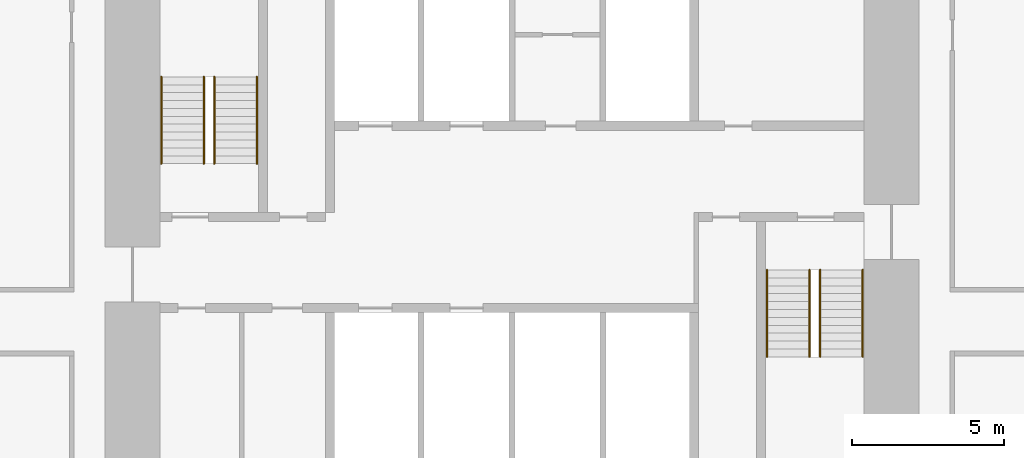
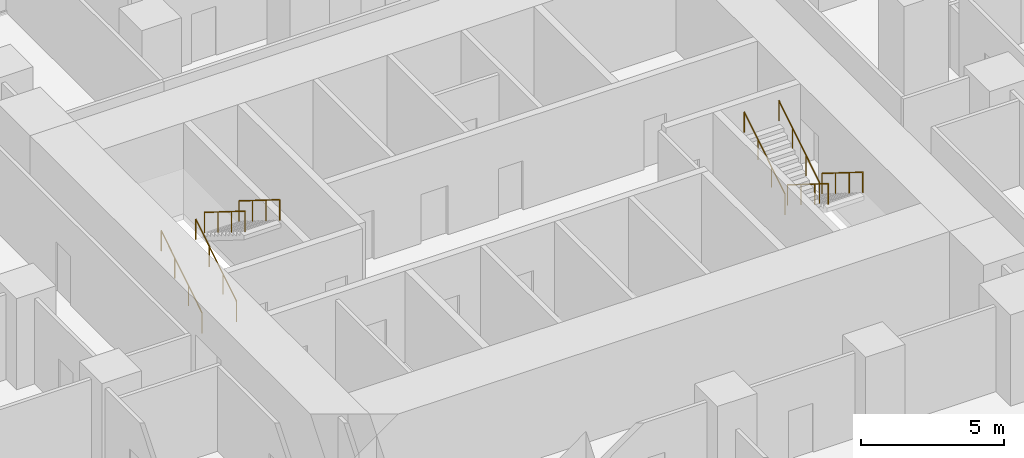
# One storey, part 12 of 12: 8 railings.
"""IFC4 building model written with IfcOpenShell, lengths in metres."""

from ifc_helpers import new_model, si_unit, direction, frame, origin, origin_2d, place, context, subcontext, project, spatial, circle, extrude, material, type_object, element, save


model = new_model("IFC4")

# Units and contexts
model_context = context("Model", 3, precision=1e-05, world=origin(), true_north=direction((0.0, 1.0)))
body_context = subcontext(model_context, "Body", "Model", "MODEL_VIEW")
ifc_project = project(units=[si_unit("LENGTHUNIT", "METRE"), si_unit("AREAUNIT", "SQUARE_METRE"), si_unit("VOLUMEUNIT", "CUBIC_METRE"), si_unit("PLANEANGLEUNIT", "RADIAN"), si_unit("MASSUNIT", "GRAM", prefix="KILO")], contexts=[model_context])

# Site, building, storey
site_placement = place(None, origin())
site = spatial("IfcSite", under=ifc_project, at=site_placement, CompositionType="ELEMENT")
building_placement = place(site_placement, origin())
building = spatial("IfcBuilding", under=site, at=building_placement, Name="Highveld Stack Headquarters", CompositionType="ELEMENT")
storey_placement = place(building_placement, frame((0.0, 0.0, 156.199951171875)))
storey = spatial("IfcBuildingStorey", under=building, at=storey_placement, Name="L38", CompositionType="ELEMENT", Elevation=156.199951171875)

# Railings
ifc_material = material(Name="Stainless steel handrail", Category="steel")
railing_type = type_object("IfcRailingType", Name="STAIR HANDRAIL HR1 900", PredefinedType="HANDRAIL", material=ifc_material)
for number, where, name in (
    (1, (-5.550048828125, 4.75, 0.16259765625), "Handrail S1 L38 flight 1"),
    (2, (-4.14990234375, 4.75, 0.16259765625), "Handrail S1 L38 flight 1"),
):
    element("IfcRailing", number, at=place(storey_placement, frame(where)), inside=storey, type_object=railing_type, Name=name, PredefinedType="HANDRAIL", context=body_context, shape_type="SweptSolid", body=[
        extrude(circle(Radius=0.02392578125, at=origin_2d()), frame((0.0, 0.0, 0.8759765625), z_axis=(0.0, 0.848026770018, 0.529953391661), x_axis=(-1.0, 0.0, 0.0)), (0.0, 0.0, 1.0), 3.37255859375),
        extrude(circle(Radius=0.02099609375, at=origin_2d()), origin(), (0.0, 0.0, 1.0), 0.851806640625),
        extrude(circle(Radius=0.02099609375, at=origin_2d()), frame((0.0, 0.953369140625, 0.595703125)), (0.0, 0.0, 1.0), 0.851806640625),
        extrude(circle(Radius=0.02099609375, at=origin_2d()), frame((0.0, 1.90673828125, 1.191650390625)), (0.0, 0.0, 1.0), 0.851806640625),
        extrude(circle(Radius=0.02099609375, at=origin_2d()), frame((0.0, 2.860107421875, 1.787353515625)), (0.0, 0.0, 1.0), 0.851806640625),
    ])
for number, where, name in (
    (3, (-3.800048828125, 7.610107421875, 2.112548828125), "Handrail S1 L38 flight 2"),
    (4, (-2.39990234375, 7.610107421875, 2.112548828125), "Handrail S1 L38 flight 2"),
):
    element("IfcRailing", number, at=place(storey_placement, frame(where)), inside=storey, type_object=railing_type, Name=name, PredefinedType="HANDRAIL", context=body_context, shape_type="SweptSolid", body=[
        extrude(circle(Radius=0.02392578125, at=origin_2d()), frame((0.0, 0.0, 0.8759765625), z_axis=(0.0, -0.847994237388, 0.530005446535), x_axis=(1.0, 0.0, 0.0)), (0.0, 0.0, 1.0), 3.372802734375),
        extrude(circle(Radius=0.02099609375, at=origin_2d()), origin(), (0.0, 0.0, 1.0), 0.851806640625),
        extrude(circle(Radius=0.02099609375, at=origin_2d()), frame((0.0, -0.953369140625, 0.595947265625)), (0.0, 0.0, 1.0), 0.851806640625),
        extrude(circle(Radius=0.02099609375, at=origin_2d()), frame((0.0, -1.90673828125, 1.191650390625)), (0.0, 0.0, 1.0), 0.851806640625),
        extrude(circle(Radius=0.02099609375, at=origin_2d()), frame((0.0, -2.860107421875, 1.78759765625)), (0.0, 0.0, 1.0), 0.851806640625),
    ])
for number, where, name in (
    (5, (16.14990234375, 1.25, 0.16259765625), "Handrail S2 L38 flight 1"),
    (6, (17.550048828125, 1.25, 0.16259765625), "Handrail S2 L38 flight 1"),
):
    element("IfcRailing", number, at=place(storey_placement, frame(where)), inside=storey, type_object=railing_type, Name=name, PredefinedType="HANDRAIL", context=body_context, shape_type="SweptSolid", body=[
        extrude(circle(Radius=0.02392578125, at=origin_2d()), frame((0.0, 0.0, 0.8759765625), z_axis=(0.0, -0.848026770018, 0.529953391661), x_axis=(1.0, 0.0, 0.0)), (0.0, 0.0, 1.0), 3.37255859375),
        extrude(circle(Radius=0.02099609375, at=origin_2d()), origin(), (0.0, 0.0, 1.0), 0.851806640625),
        extrude(circle(Radius=0.02099609375, at=origin_2d()), frame((0.0, -0.953369140625, 0.595703125)), (0.0, 0.0, 1.0), 0.851806640625),
        extrude(circle(Radius=0.02099609375, at=origin_2d()), frame((0.0, -1.90673828125, 1.191650390625)), (0.0, 0.0, 1.0), 0.851806640625),
        extrude(circle(Radius=0.02099609375, at=origin_2d()), frame((0.0, -2.860107421875, 1.787353515625)), (0.0, 0.0, 1.0), 0.851806640625),
    ])
for number, where, name in (
    (7, (14.39990234375, -1.610107421875, 2.112548828125), "Handrail S2 L38 flight 2"),
    (8, (15.800048828125, -1.610107421875, 2.112548828125), "Handrail S2 L38 flight 2"),
):
    element("IfcRailing", number, at=place(storey_placement, frame(where)), inside=storey, type_object=railing_type, Name=name, PredefinedType="HANDRAIL", context=body_context, shape_type="SweptSolid", body=[
        extrude(circle(Radius=0.02392578125, at=origin_2d()), frame((0.0, 0.0, 0.8759765625), z_axis=(0.0, 0.847994237388, 0.530005446535), x_axis=(-1.0, 0.0, 0.0)), (0.0, 0.0, 1.0), 3.372802734375),
        extrude(circle(Radius=0.02099609375, at=origin_2d()), origin(), (0.0, 0.0, 1.0), 0.851806640625),
        extrude(circle(Radius=0.02099609375, at=origin_2d()), frame((0.0, 0.953369140625, 0.595947265625)), (0.0, 0.0, 1.0), 0.851806640625),
        extrude(circle(Radius=0.02099609375, at=origin_2d()), frame((0.0, 1.90673828125, 1.191650390625)), (0.0, 0.0, 1.0), 0.851806640625),
        extrude(circle(Radius=0.02099609375, at=origin_2d()), frame((0.0, 2.860107421875, 1.78759765625)), (0.0, 0.0, 1.0), 0.851806640625),
    ])

save(model, "model.ifc")
